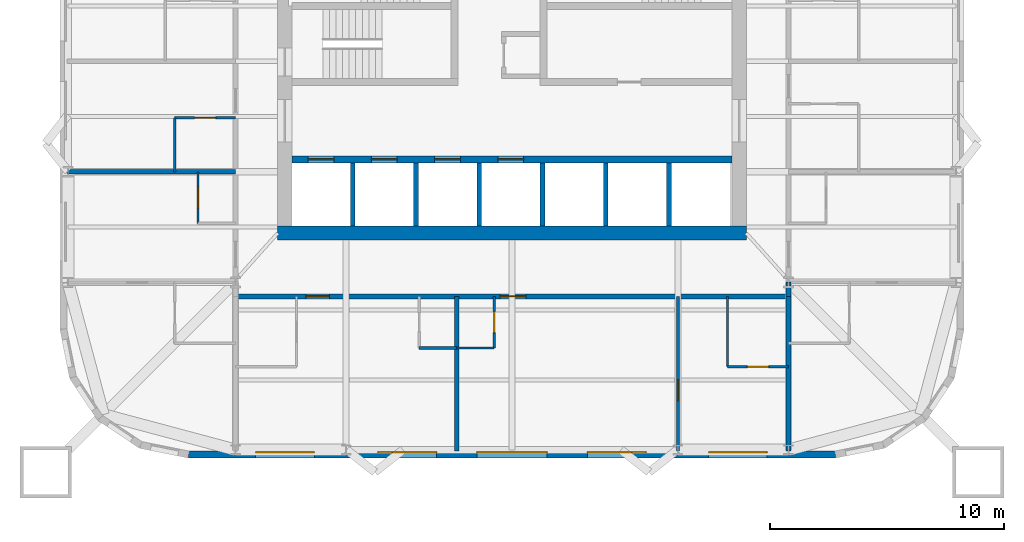
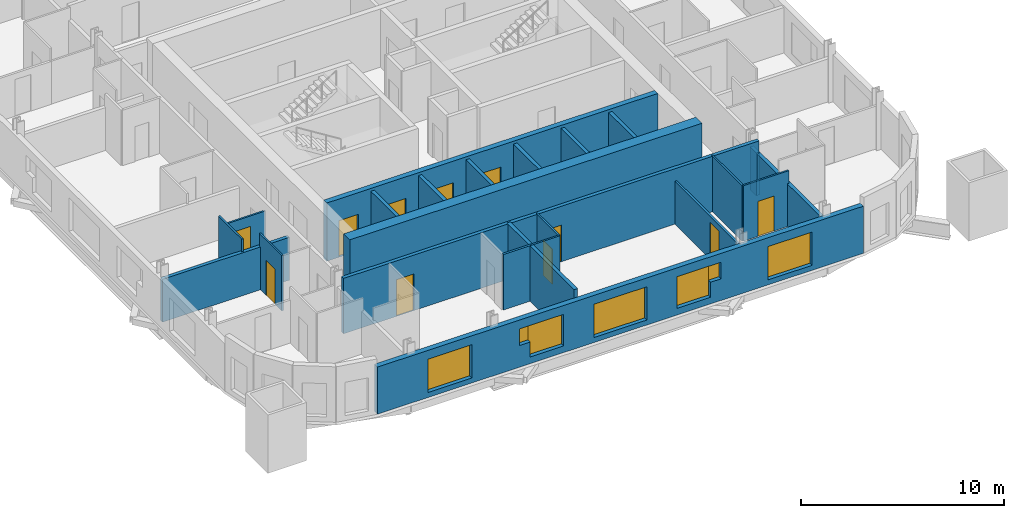
# One storey, part 3 of 9: 23 walls, 11 doors, 7 windows, 18 openings.
"""IFC4 building model written with IfcOpenShell, lengths in metres."""

from ifc_helpers import new_model, si_unit, direction, frame, frame_2d, origin, place, context, subcontext, project, spatial, rectangle, extrude, material, layer, layer_set, type_object, element, fill, save


model = new_model("IFC4")

# Units and contexts
model_context = context("Model", 3, precision=1e-05, world=origin(), true_north=direction((0.0, 1.0)))
body_context = subcontext(model_context, "Body", "Model", "MODEL_VIEW")
ifc_project = project(units=[si_unit("LENGTHUNIT", "METRE"), si_unit("AREAUNIT", "SQUARE_METRE"), si_unit("VOLUMEUNIT", "CUBIC_METRE"), si_unit("PLANEANGLEUNIT", "RADIAN"), si_unit("MASSUNIT", "GRAM", prefix="KILO")], contexts=[model_context])

# Site, building, storey
site_placement = place(None, origin())
site = spatial("IfcSite", under=ifc_project, at=site_placement, CompositionType="ELEMENT")
building_placement = place(site_placement, origin())
building = spatial("IfcBuilding", under=site, at=building_placement, Name="Turquesa Mirador Hotel Tower", CompositionType="ELEMENT")
storey_placement = place(building_placement, frame((0.0, 0.0, 200.300048828125)))
storey = spatial("IfcBuildingStorey", under=building, at=storey_placement, Name="L54", CompositionType="ELEMENT", Elevation=200.300048828125)

# Wall
ifc_material_1 = material(Name="Gypsum board on steel studs", Category="steel")
ifc_layer_1 = layer(ifc_material_1, 0.10009765625)
ifc_layer_set_1 = layer_set([ifc_layer_1], Name="BATHROOM WALL 100")
wall_type_1 = type_object("IfcWallType", Name="BATHROOM WALL 100", PredefinedType="PARTITIONING", material=ifc_layer_set_1)
wall_1_placement = place(storey_placement, frame((52.639892578125, 30.39990234375, 0.0), z_axis=(0.0, 0.0, 1.0), x_axis=(1.0, 0.0, 0.0)))
element("IfcWall", 1, at=wall_1_placement, inside=storey, type_object=wall_type_1, Name="Partition L54 008", PredefinedType="PARTITIONING", context=body_context, shape_type="SweptSolid", body=[
    extrude(rectangle(XDim=1.60009765625, YDim=0.10009765625, at=frame_2d((0.800048828125, 0.0))), origin(), (0.0, 0.0, 1.0), 3.329833984375),
])

# Wall, opening, door
wall_2_placement = place(storey_placement, frame((64.199951171875, 29.60009765625, 0.0), z_axis=(0.0, 0.0, 1.0), x_axis=(1.0, 0.0, 0.0)))
wall_2 = element("IfcWall", 2, at=wall_2_placement, inside=storey, type_object=wall_type_1, Name="Partition L54 011", PredefinedType="PARTITIONING", context=body_context, shape_type="SweptSolid", body=[
    extrude(rectangle(XDim=2.60009765625, YDim=0.10009765625, at=frame_2d((1.300048828125, 0.0))), origin(), (0.0, 0.0, 1.0), 3.329833984375),
])
opening_1_placement = place(wall_2_placement, frame((0.85009765625, 0.0, 0.0)))
opening_1 = element("IfcOpeningElement", 3, at=opening_1_placement, cuts=wall_2, Name="Opening D02", PredefinedType="OPENING", context=body_context, shape_type="SweptSolid", body=[
    extrude(rectangle(XDim=0.89990234375, YDim=2.10009765625, at=frame_2d((0.449951171875, 1.050048828125))), frame((0.0, 0.06005859375, 0.0), z_axis=(0.0, -1.0, 0.0), x_axis=(1.0, 0.0, 0.0)), (0.0, 0.0, 1.0), 0.1201171875),
])
ifc_material_2 = material(Name="Timber veneered door", Category="wood")
door_type_1 = type_object("IfcDoorType", Name="DOOR 900X2100 EN-SUITE", OperationType="SINGLE_SWING_RIGHT", PredefinedType="DOOR", material=ifc_material_2)
door_1_placement = place(opening_1_placement, origin())
door_1 = element("IfcDoor", 4, at=door_1_placement, inside=storey, type_object=door_type_1, Name="Door 5404B", OperationType="SINGLE_SWING_RIGHT", OverallHeight=2.10009765625, OverallWidth=0.89990234375, PredefinedType="DOOR", context=body_context, shape_type="SweptSolid", body=[
    extrude(rectangle(XDim=0.89990234375, YDim=2.10009765625, at=frame_2d((0.449951171875, 1.050048828125))), frame((0.0, 0.02490234375, 0.0), z_axis=(0.0, -1.0, 0.0), x_axis=(1.0, 0.0, 0.0)), (0.0, 0.0, 1.0), 0.050048828125),
])
fill(opening_1, door_1)

wall_3_placement = place(storey_placement, frame((40.60009765625, 40.219970703125, 0.0), z_axis=(0.0, 0.0, 1.0), x_axis=(1.0, 0.0, 0.0)))
wall_3 = element("IfcWall", 5, at=wall_3_placement, inside=storey, type_object=wall_type_1, Name="Partition L54 015", PredefinedType="PARTITIONING", context=body_context, shape_type="SweptSolid", body=[
    extrude(rectangle(XDim=2.599853515625, YDim=0.10009765625, at=frame_2d((1.2998046875, 0.0))), origin(), (0.0, 0.0, 1.0), 2.73046875),
])
opening_2_placement = place(wall_3_placement, frame((0.85009765625, 0.0, 0.0)))
opening_2 = element("IfcOpeningElement", 6, at=opening_2_placement, cuts=wall_3, Name="Opening D02", PredefinedType="OPENING", context=body_context, shape_type="SweptSolid", body=[
    extrude(rectangle(XDim=0.89990234375, YDim=2.10009765625, at=frame_2d((0.449951171875, 1.050048828125))), frame((0.0, 0.06005859375, 0.0), z_axis=(0.0, -1.0, 0.0), x_axis=(1.0, 0.0, 0.0)), (0.0, 0.0, 1.0), 0.1201171875),
])
door_2_placement = place(opening_2_placement, origin())
door_2 = element("IfcDoor", 7, at=door_2_placement, inside=storey, type_object=door_type_1, Name="Door 5407B", OperationType="SINGLE_SWING_RIGHT", OverallHeight=2.10009765625, OverallWidth=0.89990234375, PredefinedType="DOOR", context=body_context, shape_type="SweptSolid", body=[
    extrude(rectangle(XDim=0.89990234375, YDim=2.10009765625, at=frame_2d((0.449951171875, 1.050048828125))), frame((0.0, 0.02490234375, 0.0), z_axis=(0.0, -1.0, 0.0), x_axis=(1.0, 0.0, 0.0)), (0.0, 0.0, 1.0), 0.050048828125),
])
fill(opening_2, door_2)

wall_4_placement = place(storey_placement, frame((54.239990234375, 30.39990234375, 0.0), z_axis=(0.0, 0.0, 1.0), x_axis=(0.0, 1.0, 0.0)))
wall_4 = element("IfcWall", 8, at=wall_4_placement, inside=storey, type_object=wall_type_1, Name="Partition L54 041", PredefinedType="PARTITIONING", context=body_context, shape_type="SweptSolid", body=[
    extrude(rectangle(XDim=2.2001953125, YDim=0.10009765625, at=frame_2d((1.10009765625, 0.0))), origin(), (0.0, 0.0, 1.0), 3.329833984375),
])
opening_3_placement = place(wall_4_placement, frame((0.64990234375, 0.0, 0.0)))
opening_3 = element("IfcOpeningElement", 9, at=opening_3_placement, cuts=wall_4, Name="Opening D06", PredefinedType="OPENING", context=body_context, shape_type="SweptSolid", body=[
    extrude(rectangle(XDim=0.89990234375, YDim=2.10009765625, at=frame_2d((0.449951171875, 1.050048828125))), frame((0.0, 0.06005859375, 0.0), z_axis=(0.0, -1.0, 0.0), x_axis=(1.0, 0.0, 0.0)), (0.0, 0.0, 1.0), 0.1201171875),
])
ifc_material_3 = material(Name="Laminate door", Category="wood")
door_type_2 = type_object("IfcDoorType", Name="DOOR 900X2100 WC", OperationType="SINGLE_SWING_LEFT", PredefinedType="DOOR", material=ifc_material_3)
door_3_placement = place(opening_3_placement, origin())
door_3 = element("IfcDoor", 10, at=door_3_placement, inside=storey, type_object=door_type_2, Name="Door 5404W", OperationType="SINGLE_SWING_LEFT", OverallHeight=2.10009765625, OverallWidth=0.89990234375, PredefinedType="DOOR", context=body_context, shape_type="SweptSolid", body=[
    extrude(rectangle(XDim=0.89990234375, YDim=2.10009765625, at=frame_2d((0.449951171875, 1.050048828125))), frame((0.0, 0.02490234375, 0.0), z_axis=(0.0, -1.0, 0.0), x_axis=(1.0, 0.0, 0.0)), (0.0, 0.0, 1.0), 0.050048828125),
])
fill(opening_3, door_3)

wall_5_placement = place(storey_placement, frame((41.60009765625, 35.719970703125, 0.0), z_axis=(0.0, 0.0, 1.0), x_axis=(0.0, 1.0, 0.0)))
wall_5 = element("IfcWall", 11, at=wall_5_placement, inside=storey, type_object=wall_type_1, Name="Partition L54 046", PredefinedType="PARTITIONING", context=body_context, shape_type="SweptSolid", body=[
    extrude(rectangle(XDim=2.199951171875, YDim=0.10009765625, at=frame_2d((1.10009765625, 0.0))), origin(), (0.0, 0.0, 1.0), 3.329833984375),
])
opening_4_placement = place(wall_5_placement, frame((0.64990234375, 0.0, 0.0)))
opening_4 = element("IfcOpeningElement", 12, at=opening_4_placement, cuts=wall_5, Name="Opening D06", PredefinedType="OPENING", context=body_context, shape_type="SweptSolid", body=[
    extrude(rectangle(XDim=0.89990234375, YDim=2.10009765625, at=frame_2d((0.449951171875, 1.050048828125))), frame((0.0, 0.06005859375, 0.0), z_axis=(0.0, -1.0, 0.0), x_axis=(1.0, 0.0, 0.0)), (0.0, 0.0, 1.0), 0.1201171875),
])
door_4_placement = place(opening_4_placement, origin())
door_4 = element("IfcDoor", 13, at=door_4_placement, inside=storey, type_object=door_type_2, Name="Door 5411W", OperationType="SINGLE_SWING_LEFT", OverallHeight=2.10009765625, OverallWidth=0.89990234375, PredefinedType="DOOR", context=body_context, shape_type="SweptSolid", body=[
    extrude(rectangle(XDim=0.89990234375, YDim=2.10009765625, at=frame_2d((0.449951171875, 1.050048828125))), frame((0.0, 0.02490234375, 0.0), z_axis=(0.0, -1.0, 0.0), x_axis=(1.0, 0.0, 0.0)), (0.0, 0.0, 1.0), 0.050048828125),
])
fill(opening_4, door_4)

# Walls
wall_6_placement = place(storey_placement, frame((40.60009765625, 37.919921875, 0.0), z_axis=(0.0, 0.0, 1.0), x_axis=(0.0, 1.0, 0.0)))
element("IfcWall", 14, at=wall_6_placement, inside=storey, type_object=wall_type_1, Name="Partition L54 050", PredefinedType="PARTITIONING", context=body_context, shape_type="SweptSolid", body=[
    extrude(rectangle(XDim=2.300048828125, YDim=0.10009765625, at=frame_2d((1.14990234375, 0.0))), origin(), (0.0, 0.0, 1.0), 3.329833984375),
])
wall_7_placement = place(storey_placement, frame((64.199951171875, 29.60009765625, 0.0), z_axis=(0.0, 0.0, 1.0), x_axis=(0.0, 1.0, 0.0)))
element("IfcWall", 15, at=wall_7_placement, inside=storey, type_object=wall_type_1, Name="Partition L54 071", PredefinedType="PARTITIONING", context=body_context, shape_type="SweptSolid", body=[
    extrude(rectangle(XDim=3.0, YDim=0.10009765625, at=frame_2d((1.5, 0.0))), origin(), (0.0, 0.0, 1.0), 3.329833984375),
])

# Wall, openings, doors
ifc_material_4 = material(Name="Concrete C50/60", Category="concrete")
ifc_layer_2 = layer(ifc_material_4, 0.300048828125)
ifc_layer_set_2 = layer_set([ifc_layer_2], Name="CORE INNER WALL 300")
wall_type_2 = type_object("IfcWallType", Name="CORE INNER WALL 300", PredefinedType="SHEAR", material=ifc_layer_set_2)
wall_8_placement = place(storey_placement, frame((45.60009765625, 38.449951171875, 0.0), z_axis=(0.0, 0.0, 1.0), x_axis=(1.0, 0.0, 0.0)))
wall_8 = element("IfcWall", 16, at=wall_8_placement, inside=storey, type_object=wall_type_2, Name="Core wall SL", PredefinedType="SHEAR", context=body_context, shape_type="SweptSolid", body=[
    extrude(rectangle(XDim=18.7998046875, YDim=0.300048828125, at=frame_2d((9.39990234375, 0.0))), origin(), (0.0, 0.0, 1.0), 3.5),
])
opening_5_placement = place(wall_8_placement, frame((0.699951171875, 0.0, 0.0)))
opening_5 = element("IfcOpeningElement", 17, at=opening_5_placement, cuts=wall_8, Name="Opening LD", PredefinedType="OPENING", context=body_context, shape_type="SweptSolid", body=[
    extrude(rectangle(XDim=1.10009765625, YDim=2.199951171875, at=frame_2d((0.550048828125, 1.10009765625))), frame((0.0, 0.159912109375, 0.0), z_axis=(0.0, -1.0, 0.0), x_axis=(1.0, 0.0, 0.0)), (0.0, 0.0, 1.0), 0.320068359375),
])
opening_6_placement = place(wall_8_placement, frame((3.39990234375, 0.0, 0.0)))
opening_6 = element("IfcOpeningElement", 18, at=opening_6_placement, cuts=wall_8, Name="Opening LD", PredefinedType="OPENING", context=body_context, shape_type="SweptSolid", body=[
    extrude(rectangle(XDim=1.10009765625, YDim=2.199951171875, at=frame_2d((0.550048828125, 1.10009765625))), frame((0.0, 0.159912109375, 0.0), z_axis=(0.0, -1.0, 0.0), x_axis=(1.0, 0.0, 0.0)), (0.0, 0.0, 1.0), 0.320068359375),
])
opening_7_placement = place(wall_8_placement, frame((6.10009765625, 0.0, 0.0)))
opening_7 = element("IfcOpeningElement", 19, at=opening_7_placement, cuts=wall_8, Name="Opening LD", PredefinedType="OPENING", context=body_context, shape_type="SweptSolid", body=[
    extrude(rectangle(XDim=1.10009765625, YDim=2.199951171875, at=frame_2d((0.550048828125, 1.10009765625))), frame((0.0, 0.159912109375, 0.0), z_axis=(0.0, -1.0, 0.0), x_axis=(1.0, 0.0, 0.0)), (0.0, 0.0, 1.0), 0.320068359375),
])
opening_8_placement = place(wall_8_placement, frame((8.800048828125, 0.0, 0.0)))
opening_8 = element("IfcOpeningElement", 20, at=opening_8_placement, cuts=wall_8, Name="Opening LD", PredefinedType="OPENING", context=body_context, shape_type="SweptSolid", body=[
    extrude(rectangle(XDim=1.10009765625, YDim=2.199951171875, at=frame_2d((0.550048828125, 1.10009765625))), frame((0.0, 0.159912109375, 0.0), z_axis=(0.0, -1.0, 0.0), x_axis=(1.0, 0.0, 0.0)), (0.0, 0.0, 1.0), 0.320068359375),
])
ifc_material_5 = material(Name="Stainless steel lift landing door", Category="steel")
door_type_3 = type_object("IfcDoorType", Name="LIFT LANDING DOOR 1100X2200", OperationType="SLIDING_TO_LEFT", PredefinedType="DOOR", material=ifc_material_5)
door_5_placement = place(opening_5_placement, origin())
door_5 = element("IfcDoor", 21, at=door_5_placement, inside=storey, type_object=door_type_3, Name="Lift B1 landing door", OperationType="SLIDING_TO_LEFT", OverallHeight=2.199951171875, OverallWidth=1.10009765625, PredefinedType="DOOR", context=body_context, shape_type="SweptSolid", body=[
    extrude(rectangle(XDim=1.10009765625, YDim=2.199951171875, at=frame_2d((0.550048828125, 1.10009765625))), frame((0.0, 0.02490234375, 0.0), z_axis=(0.0, -1.0, 0.0), x_axis=(1.0, 0.0, 0.0)), (0.0, 0.0, 1.0), 0.050048828125),
])
fill(opening_5, door_5)
door_6_placement = place(opening_6_placement, origin())
door_6 = element("IfcDoor", 22, at=door_6_placement, inside=storey, type_object=door_type_3, Name="Lift B2 landing door", OperationType="SLIDING_TO_LEFT", OverallHeight=2.199951171875, OverallWidth=1.10009765625, PredefinedType="DOOR", context=body_context, shape_type="SweptSolid", body=[
    extrude(rectangle(XDim=1.10009765625, YDim=2.199951171875, at=frame_2d((0.550048828125, 1.10009765625))), frame((0.0, 0.02490234375, 0.0), z_axis=(0.0, -1.0, 0.0), x_axis=(1.0, 0.0, 0.0)), (0.0, 0.0, 1.0), 0.050048828125),
])
fill(opening_6, door_6)
door_7_placement = place(opening_7_placement, origin())
door_7 = element("IfcDoor", 23, at=door_7_placement, inside=storey, type_object=door_type_3, Name="Lift B3 landing door", OperationType="SLIDING_TO_LEFT", OverallHeight=2.199951171875, OverallWidth=1.10009765625, PredefinedType="DOOR", context=body_context, shape_type="SweptSolid", body=[
    extrude(rectangle(XDim=1.10009765625, YDim=2.199951171875, at=frame_2d((0.550048828125, 1.10009765625))), frame((0.0, 0.02490234375, 0.0), z_axis=(0.0, -1.0, 0.0), x_axis=(1.0, 0.0, 0.0)), (0.0, 0.0, 1.0), 0.050048828125),
])
fill(opening_7, door_7)
door_8_placement = place(opening_8_placement, origin())
door_8 = element("IfcDoor", 24, at=door_8_placement, inside=storey, type_object=door_type_3, Name="Lift B4 landing door", OperationType="SLIDING_TO_LEFT", OverallHeight=2.199951171875, OverallWidth=1.10009765625, PredefinedType="DOOR", context=body_context, shape_type="SweptSolid", body=[
    extrude(rectangle(XDim=1.10009765625, YDim=2.199951171875, at=frame_2d((0.550048828125, 1.10009765625))), frame((0.0, 0.02490234375, 0.0), z_axis=(0.0, -1.0, 0.0), x_axis=(1.0, 0.0, 0.0)), (0.0, 0.0, 1.0), 0.050048828125),
])
fill(opening_8, door_8)

# Wall
ifc_material_6 = material(Name="Concrete C50/60", Category="concrete")
ifc_layer_3 = layer(ifc_material_6, 0.60009765625)
ifc_layer_set_3 = layer_set([ifc_layer_3], Name="CORE WALL 600")
wall_type_3 = type_object("IfcWallType", Name="CORE WALL 600", PredefinedType="SHEAR", material=ifc_layer_set_3)
wall_9_placement = place(storey_placement, frame((45.0, 35.300048828125, 0.0), z_axis=(0.0, 0.0, 1.0), x_axis=(1.0, 0.0, 0.0)))
element("IfcWall", 25, at=wall_9_placement, inside=storey, type_object=wall_type_3, Name="Core wall S", PredefinedType="SHEAR", context=body_context, shape_type="SweptSolid", body=[
    extrude(rectangle(XDim=20.0, YDim=0.60009765625, at=frame_2d((10.0, 0.0))), origin(), (0.0, 0.0, 1.0), 3.5),
])

# Wall, openings, doors
ifc_material_7 = material(Name="Fire-rated gypsum board on steel studs", Category="steel")
ifc_layer_4 = layer(ifc_material_7, 0.199951171875)
ifc_layer_set_4 = layer_set([ifc_layer_4], Name="CORRIDOR WALL 200")
wall_type_4 = type_object("IfcWallType", Name="CORRIDOR WALL 200", PredefinedType="PARTITIONING", material=ifc_layer_set_4)
wall_10_placement = place(storey_placement, frame((43.199951171875, 32.60009765625, 0.0), z_axis=(0.0, 0.0, 1.0), x_axis=(1.0, 0.0, 0.0)))
wall_10 = element("IfcWall", 26, at=wall_10_placement, inside=storey, type_object=wall_type_4, Name="Partition L54 005", PredefinedType="PARTITIONING", context=body_context, shape_type="SweptSolid", body=[
    extrude(rectangle(XDim=23.60009765625, YDim=0.199951171875, at=frame_2d((11.800048828125, 0.0))), origin(), (0.0, 0.0, 1.0), 3.329833984375),
])
opening_9_placement = place(wall_10_placement, frame((3.0, 0.0, 0.0)))
opening_9 = element("IfcOpeningElement", 27, at=opening_9_placement, cuts=wall_10, Name="Opening D01", PredefinedType="OPENING", context=body_context, shape_type="SweptSolid", body=[
    extrude(rectangle(XDim=1.0, YDim=2.199951171875, at=frame_2d((0.5, 1.10009765625))), frame((0.0, 0.10986328125, 0.0), z_axis=(0.0, -1.0, 0.0), x_axis=(1.0, 0.0, 0.0)), (0.0, 0.0, 1.0), 0.219970703125),
])
opening_10_placement = place(wall_10_placement, frame((11.2900390625, 0.0, 0.0)))
opening_10 = element("IfcOpeningElement", 28, at=opening_10_placement, cuts=wall_10, Name="Opening D15", PredefinedType="OPENING", context=body_context, shape_type="SweptSolid", body=[
    extrude(rectangle(XDim=1.10009765625, YDim=2.199951171875, at=frame_2d((0.550048828125, 1.10009765625))), frame((0.0, 0.10986328125, 0.0), z_axis=(0.0, -1.0, 0.0), x_axis=(1.0, 0.0, 0.0)), (0.0, 0.0, 1.0), 0.219970703125),
])
ifc_material_8 = material(Name="Timber veneered fire door", Category="wood")
door_type_4 = type_object("IfcDoorType", Name="DOOR 1000X2200 GUEST ENTRY", OperationType="SINGLE_SWING_LEFT", PredefinedType="DOOR", material=ifc_material_8)
door_9_placement = place(opening_9_placement, origin())
door_9 = element("IfcDoor", 29, at=door_9_placement, inside=storey, type_object=door_type_4, Name="Door 5403", OperationType="SINGLE_SWING_LEFT", OverallHeight=2.199951171875, OverallWidth=1.0, PredefinedType="DOOR", context=body_context, shape_type="SweptSolid", body=[
    extrude(rectangle(XDim=1.0, YDim=2.199951171875, at=frame_2d((0.5, 1.10009765625))), frame((0.0, 0.02490234375, 0.0), z_axis=(0.0, -1.0, 0.0), x_axis=(1.0, 0.0, 0.0)), (0.0, 0.0, 1.0), 0.050048828125),
])
fill(opening_9, door_9)
ifc_material_9 = material(Name="Timber veneered fire door", Category="wood")
door_type_5 = type_object("IfcDoorType", Name="DOOR 1100X2200 SUITE ENTRY", OperationType="SINGLE_SWING_LEFT", PredefinedType="DOOR", material=ifc_material_9)
door_10_placement = place(opening_10_placement, origin())
door_10 = element("IfcDoor", 30, at=door_10_placement, inside=storey, type_object=door_type_5, Name="Door 5404", OperationType="SINGLE_SWING_LEFT", OverallHeight=2.199951171875, OverallWidth=1.10009765625, PredefinedType="DOOR", context=body_context, shape_type="SweptSolid", body=[
    extrude(rectangle(XDim=1.10009765625, YDim=2.199951171875, at=frame_2d((0.550048828125, 1.10009765625))), frame((0.0, 0.02490234375, 0.0), z_axis=(0.0, -1.0, 0.0), x_axis=(1.0, 0.0, 0.0)), (0.0, 0.0, 1.0), 0.050048828125),
])
fill(opening_10, door_10)

# Wall
wall_11_placement = place(storey_placement, frame((66.800048828125, 32.60009765625, 0.0), z_axis=(0.0, 0.0, 1.0), x_axis=(0.0, 1.0, 0.0)))
element("IfcWall", 31, at=wall_11_placement, inside=storey, type_object=wall_type_4, Name="Partition L54 075", PredefinedType="PARTITIONING", context=body_context, shape_type="SweptSolid", body=[
    extrude(rectangle(XDim=0.619873046875, YDim=0.199951171875, at=frame_2d((0.31005859375, 0.0))), origin(), (0.0, 0.0, 1.0), 2.572998046875),
])

# Wall, openings, windows
ifc_material_10 = material(Name="Limestone cladding on concrete block", Category="masonry")
ifc_layer_5 = layer(ifc_material_10, 0.300048828125)
ifc_layer_set_5 = layer_set([ifc_layer_5], Name="FACADE WALL 300 STONE SCREEN")
wall_type_5 = type_object("IfcWallType", Name="FACADE WALL 300 STONE SCREEN", PredefinedType="SOLIDWALL", material=ifc_layer_set_5)
wall_12_placement = place(storey_placement, frame((41.199951171875, 25.85009765625, 0.0), z_axis=(0.0, 0.0, 1.0), x_axis=(1.0, 0.0, 0.0)))
wall_12 = element("IfcWall", 32, at=wall_12_placement, inside=storey, type_object=wall_type_5, Name="Facade wall L54 19", PredefinedType="SOLIDWALL", context=body_context, shape_type="SweptSolid", body=[
    extrude(rectangle(XDim=27.60009765625, YDim=0.300048828125, at=frame_2d((13.800048828125, 0.0))), origin(), (0.0, 0.0, 1.0), 2.829833984375),
])
opening_11_placement = place(wall_12_placement, frame((2.860107421875, 0.0, 0.300048828125)))
opening_11 = element("IfcOpeningElement", 33, at=opening_11_placement, cuts=wall_12, Name="Opening WN52", PredefinedType="OPENING", context=body_context, shape_type="SweptSolid", body=[
    extrude(rectangle(XDim=2.5, YDim=2.0, at=frame_2d((1.25, 1.0))), frame((0.0, 0.159912109375, 0.0), z_axis=(0.0, -1.0, 0.0), x_axis=(1.0, 0.0, 0.0)), (0.0, 0.0, 1.0), 0.320068359375),
])
opening_12_placement = place(wall_12_placement, frame((8.679931640625, 0.0, 0.39990234375)))
opening_12 = element("IfcOpeningElement", 34, at=opening_12_placement, cuts=wall_12, Name="Opening WN48", PredefinedType="OPENING", context=body_context, shape_type="SweptSolid", body=[
    extrude(rectangle(XDim=1.89990234375, YDim=1.89990234375, at=frame_2d((0.949951171875, 0.949951171875))), frame((0.0, 0.159912109375, 0.0), z_axis=(0.0, -1.0, 0.0), x_axis=(1.0, 0.0, 0.0)), (0.0, 0.0, 1.0), 0.320068359375),
])
opening_13_placement = place(wall_12_placement, frame((12.300048828125, 0.0, 0.300048828125)))
opening_13 = element("IfcOpeningElement", 35, at=opening_13_placement, cuts=wall_12, Name="Opening WN1", PredefinedType="OPENING", context=body_context, shape_type="SweptSolid", body=[
    extrude(rectangle(XDim=3.0, YDim=2.0, at=frame_2d((1.5, 1.0))), frame((0.0, 0.159912109375, 0.0), z_axis=(0.0, -1.0, 0.0), x_axis=(1.0, 0.0, 0.0)), (0.0, 0.0, 1.0), 0.320068359375),
])
opening_14_placement = place(wall_12_placement, frame((17.02001953125, 0.0, 0.39990234375)))
opening_14 = element("IfcOpeningElement", 36, at=opening_14_placement, cuts=wall_12, Name="Opening WN48", PredefinedType="OPENING", context=body_context, shape_type="SweptSolid", body=[
    extrude(rectangle(XDim=1.89990234375, YDim=1.89990234375, at=frame_2d((0.949951171875, 0.949951171875))), frame((0.0, 0.159912109375, 0.0), z_axis=(0.0, -1.0, 0.0), x_axis=(1.0, 0.0, 0.0)), (0.0, 0.0, 1.0), 0.320068359375),
])
opening_15_placement = place(wall_12_placement, frame((22.18994140625, 0.0, 0.300048828125)))
opening_15 = element("IfcOpeningElement", 37, at=opening_15_placement, cuts=wall_12, Name="Opening WN52", PredefinedType="OPENING", context=body_context, shape_type="SweptSolid", body=[
    extrude(rectangle(XDim=2.5, YDim=2.0, at=frame_2d((1.25, 1.0))), frame((0.0, 0.159912109375, 0.0), z_axis=(0.0, -1.0, 0.0), x_axis=(1.0, 0.0, 0.0)), (0.0, 0.0, 1.0), 0.320068359375),
])
opening_16_placement = place(wall_12_placement, frame((8.080078125, 0.0, 1.300048828125)))
opening_16 = element("IfcOpeningElement", 38, at=opening_16_placement, cuts=wall_12, Name="Opening WN29", PredefinedType="OPENING", context=body_context, shape_type="SweptSolid", body=[
    extrude(rectangle(XDim=0.60009765625, YDim=1.0, at=frame_2d((0.300048828125, 0.5))), frame((0.0, 0.159912109375, 0.0), z_axis=(0.0, -1.0, 0.0), x_axis=(1.0, 0.0, 0.0)), (0.0, 0.0, 1.0), 0.320068359375),
])
opening_17_placement = place(wall_12_placement, frame((18.919921875, 0.0, 1.300048828125)))
opening_17 = element("IfcOpeningElement", 39, at=opening_17_placement, cuts=wall_12, Name="Opening WN29", PredefinedType="OPENING", context=body_context, shape_type="SweptSolid", body=[
    extrude(rectangle(XDim=0.60009765625, YDim=1.0, at=frame_2d((0.300048828125, 0.5))), frame((0.0, 0.159912109375, 0.0), z_axis=(0.0, -1.0, 0.0), x_axis=(1.0, 0.0, 0.0)), (0.0, 0.0, 1.0), 0.320068359375),
])
ifc_material_11 = material(Name="Ceramic-fritted laminated glass", Category="glass")
window_type_1 = type_object("IfcWindowType", Name="FRITTED WINDOW 1900X1900", PartitioningType="DOUBLE_PANEL_HORIZONTAL", PredefinedType="WINDOW", material=ifc_material_11)
window_1_placement = place(opening_12_placement, origin())
window_1 = element("IfcWindow", 40, at=window_1_placement, inside=storey, type_object=window_type_1, Name="Window L54", OverallHeight=1.89990234375, OverallWidth=1.89990234375, PartitioningType="SINGLE_PANEL", PredefinedType="WINDOW", context=body_context, shape_type="SweptSolid", body=[
    extrude(rectangle(XDim=1.89990234375, YDim=1.89990234375, at=frame_2d((0.949951171875, 0.949951171875))), frame((0.0, 0.130126953125, 0.0), z_axis=(0.0, -1.0, 0.0), x_axis=(1.0, 0.0, 0.0)), (0.0, 0.0, 1.0), 0.06005859375),
])
fill(opening_12, window_1)
window_2_placement = place(opening_14_placement, origin())
window_2 = element("IfcWindow", 41, at=window_2_placement, inside=storey, type_object=window_type_1, Name="Window L54", OverallHeight=1.89990234375, OverallWidth=1.89990234375, PartitioningType="SINGLE_PANEL", PredefinedType="WINDOW", context=body_context, shape_type="SweptSolid", body=[
    extrude(rectangle(XDim=1.89990234375, YDim=1.89990234375, at=frame_2d((0.949951171875, 0.949951171875))), frame((0.0, 0.130126953125, 0.0), z_axis=(0.0, -1.0, 0.0), x_axis=(1.0, 0.0, 0.0)), (0.0, 0.0, 1.0), 0.06005859375),
])
fill(opening_14, window_2)
ifc_material_12 = material(Name="Ceramic-fritted laminated glass", Category="glass")
window_type_2 = type_object("IfcWindowType", Name="FRITTED WINDOW 2500X2000", PartitioningType="DOUBLE_PANEL_HORIZONTAL", PredefinedType="WINDOW", material=ifc_material_12)
window_3_placement = place(opening_11_placement, origin())
window_3 = element("IfcWindow", 42, at=window_3_placement, inside=storey, type_object=window_type_2, Name="Window L54", OverallHeight=2.0, OverallWidth=2.5, PartitioningType="SINGLE_PANEL", PredefinedType="WINDOW", context=body_context, shape_type="SweptSolid", body=[
    extrude(rectangle(XDim=2.5, YDim=2.0, at=frame_2d((1.25, 1.0))), frame((0.0, 0.130126953125, 0.0), z_axis=(0.0, -1.0, 0.0), x_axis=(1.0, 0.0, 0.0)), (0.0, 0.0, 1.0), 0.06005859375),
])
fill(opening_11, window_3)
window_4_placement = place(opening_15_placement, origin())
window_4 = element("IfcWindow", 43, at=window_4_placement, inside=storey, type_object=window_type_2, Name="Window L54", OverallHeight=2.0, OverallWidth=2.5, PartitioningType="SINGLE_PANEL", PredefinedType="WINDOW", context=body_context, shape_type="SweptSolid", body=[
    extrude(rectangle(XDim=2.5, YDim=2.0, at=frame_2d((1.25, 1.0))), frame((0.0, 0.130126953125, 0.0), z_axis=(0.0, -1.0, 0.0), x_axis=(1.0, 0.0, 0.0)), (0.0, 0.0, 1.0), 0.06005859375),
])
fill(opening_15, window_4)
ifc_material_13 = material(Name="Ceramic-fritted laminated glass", Category="glass")
window_type_3 = type_object("IfcWindowType", Name="FRITTED WINDOW 3000X2000", PartitioningType="DOUBLE_PANEL_HORIZONTAL", PredefinedType="WINDOW", material=ifc_material_13)
window_5_placement = place(opening_13_placement, origin())
window_5 = element("IfcWindow", 44, at=window_5_placement, inside=storey, type_object=window_type_3, Name="Window L54", OverallHeight=2.0, OverallWidth=3.0, PartitioningType="SINGLE_PANEL", PredefinedType="WINDOW", context=body_context, shape_type="SweptSolid", body=[
    extrude(rectangle(XDim=3.0, YDim=2.0, at=frame_2d((1.5, 1.0))), frame((0.0, 0.130126953125, 0.0), z_axis=(0.0, -1.0, 0.0), x_axis=(1.0, 0.0, 0.0)), (0.0, 0.0, 1.0), 0.06005859375),
])
fill(opening_13, window_5)
ifc_material_14 = material(Name="Ceramic-fritted laminated glass", Category="glass")
window_type_4 = type_object("IfcWindowType", Name="FRITTED WINDOW 600X1000", PartitioningType="DOUBLE_PANEL_HORIZONTAL", PredefinedType="WINDOW", material=ifc_material_14)
window_6_placement = place(opening_16_placement, origin())
window_6 = element("IfcWindow", 45, at=window_6_placement, inside=storey, type_object=window_type_4, Name="Window L54", OverallHeight=1.0, OverallWidth=0.60009765625, PartitioningType="SINGLE_PANEL", PredefinedType="WINDOW", context=body_context, shape_type="SweptSolid", body=[
    extrude(rectangle(XDim=0.60009765625, YDim=1.0, at=frame_2d((0.300048828125, 0.5))), frame((0.0, 0.130126953125, 0.0), z_axis=(0.0, -1.0, 0.0), x_axis=(1.0, 0.0, 0.0)), (0.0, 0.0, 1.0), 0.06005859375),
])
fill(opening_16, window_6)
window_7_placement = place(opening_17_placement, origin())
window_7 = element("IfcWindow", 46, at=window_7_placement, inside=storey, type_object=window_type_4, Name="Window L54", OverallHeight=1.0, OverallWidth=0.60009765625, PartitioningType="SINGLE_PANEL", PredefinedType="WINDOW", context=body_context, shape_type="SweptSolid", body=[
    extrude(rectangle(XDim=0.60009765625, YDim=1.0, at=frame_2d((0.300048828125, 0.5))), frame((0.0, 0.130126953125, 0.0), z_axis=(0.0, -1.0, 0.0), x_axis=(1.0, 0.0, 0.0)), (0.0, 0.0, 1.0), 0.06005859375),
])
fill(opening_17, window_7)

# Walls
ifc_material_15 = material(Name="Fire-rated gypsum shaft wall on steel studs", Category="steel")
ifc_layer_6 = layer(ifc_material_15, 0.199951171875)
ifc_layer_set_6 = layer_set([ifc_layer_6], Name="LIFT SHAFT DIVIDER 200")
wall_type_6 = type_object("IfcWallType", Name="LIFT SHAFT DIVIDER 200", PredefinedType="PARTITIONING", material=ifc_layer_set_6)
for number, where, z_axis, x_axis, name in (
    (47, (48.199951171875, 35.60009765625, 0.0), (0.0, 0.0, 1.0), (0.0, 1.0, 0.0), "Lift shaft divider"),
    (48, (50.89990234375, 35.60009765625, 0.0), (0.0, 0.0, 1.0), (0.0, 1.0, 0.0), "Lift shaft divider"),
    (49, (53.60009765625, 35.60009765625, 0.0), (0.0, 0.0, 1.0), (0.0, 1.0, 0.0), "Lift shaft divider"),
    (50, (56.300048828125, 35.60009765625, 0.0), (0.0, 0.0, 1.0), (0.0, 1.0, 0.0), "Lift shaft divider"),
    (51, (59.0, 35.60009765625, 0.0), (0.0, 0.0, 1.0), (0.0, 1.0, 0.0), "Lift shaft divider"),
    (52, (61.699951171875, 35.60009765625, 0.0), (0.0, 0.0, 1.0), (0.0, 1.0, 0.0), "Lift shaft divider"),
):
    element("IfcWall", number, at=place(storey_placement, frame(where, z_axis=z_axis, x_axis=x_axis)), inside=storey, type_object=wall_type_6, Name=name, PredefinedType="PARTITIONING", context=body_context, shape_type="SweptSolid", body=[
        extrude(rectangle(XDim=2.699951171875, YDim=0.199951171875, at=frame_2d((1.35009765625, 0.0))), origin(), (0.0, 0.0, 1.0), 3.329833984375),
    ])
ifc_material_16 = material(Name="Fire-rated gypsum board on steel studs", Category="steel")
ifc_layer_7 = layer(ifc_material_16, 0.199951171875)
ifc_layer_set_7 = layer_set([ifc_layer_7], Name="PARTY WALL 200")
wall_type_7 = type_object("IfcWallType", Name="PARTY WALL 200", PredefinedType="PARTITIONING", material=ifc_layer_set_7)
wall_13_placement = place(storey_placement, frame((36.0, 37.919921875, 0.0), z_axis=(0.0, 0.0, 1.0), x_axis=(1.0, 0.0, 0.0)))
element("IfcWall", 53, at=wall_13_placement, inside=storey, type_object=wall_type_7, Name="Partition L54 016", PredefinedType="PARTITIONING", context=body_context, shape_type="SweptSolid", body=[
    extrude(rectangle(XDim=7.199951171875, YDim=0.199951171875, at=frame_2d((3.60009765625, 0.0))), origin(), (0.0, 0.0, 1.0), 2.572998046875),
])
wall_14_placement = place(storey_placement, frame((52.639892578125, 26.0, 0.0), z_axis=(0.0, 0.0, 1.0), x_axis=(0.0, 1.0, 0.0)))
element("IfcWall", 54, at=wall_14_placement, inside=storey, type_object=wall_type_7, Name="Partition L54 053", PredefinedType="PARTITIONING", context=body_context, shape_type="SweptSolid", body=[
    extrude(rectangle(XDim=6.60009765625, YDim=0.199951171875, at=frame_2d((3.300048828125, 0.0))), origin(), (0.0, 0.0, 1.0), 3.329833984375),
])
wall_15_placement = place(storey_placement, frame((66.800048828125, 26.0, 0.0), z_axis=(0.0, 0.0, 1.0), x_axis=(0.0, 1.0, 0.0)))
element("IfcWall", 55, at=wall_15_placement, inside=storey, type_object=wall_type_7, Name="Partition L54 060", PredefinedType="PARTITIONING", context=body_context, shape_type="SweptSolid", body=[
    extrude(rectangle(XDim=6.60009765625, YDim=0.199951171875, at=frame_2d((3.300048828125, 0.0))), origin(), (0.0, 0.0, 1.0), 2.572998046875),
])
ifc_material_17 = material(Name="Acoustic gypsum board on steel studs", Category="steel")
ifc_layer_8 = layer(ifc_material_17, 0.125)
ifc_layer_set_8 = layer_set([ifc_layer_8], Name="SUITE PARTITION 125")
wall_type_8 = type_object("IfcWallType", Name="SUITE PARTITION 125", PredefinedType="PARTITIONING", material=ifc_layer_set_8)
wall_16_placement = place(storey_placement, frame((51.0400390625, 30.39990234375, 0.0), z_axis=(0.0, 0.0, 1.0), x_axis=(1.0, 0.0, 0.0)))
element("IfcWall", 56, at=wall_16_placement, inside=storey, type_object=wall_type_8, Name="Partition L54 009", PredefinedType="PARTITIONING", context=body_context, shape_type="SweptSolid", body=[
    extrude(rectangle(XDim=1.599853515625, YDim=0.125, at=frame_2d((0.7998046875, 0.0))), origin(), (0.0, 0.0, 1.0), 3.329833984375),
])

# Wall, opening, door
wall_17_placement = place(storey_placement, frame((62.080078125, 26.0, 0.0), z_axis=(0.0, 0.0, 1.0), x_axis=(0.0, 1.0, 0.0)))
wall_17 = element("IfcWall", 57, at=wall_17_placement, inside=storey, type_object=wall_type_8, Name="Partition L54 069", PredefinedType="PARTITIONING", context=body_context, shape_type="SweptSolid", body=[
    extrude(rectangle(XDim=6.60009765625, YDim=0.125, at=frame_2d((3.300048828125, 0.0))), origin(), (0.0, 0.0, 1.0), 2.572998046875),
])
opening_18_placement = place(wall_17_placement, frame((2.14990234375, 0.0, 0.0)))
opening_18 = element("IfcOpeningElement", 58, at=opening_18_placement, cuts=wall_17, Name="Opening D17", PredefinedType="OPENING", context=body_context, shape_type="SweptSolid", body=[
    extrude(rectangle(XDim=0.89990234375, YDim=2.199951171875, at=frame_2d((0.449951171875, 1.10009765625))), frame((0.0, 0.072509765625, 0.0), z_axis=(0.0, -1.0, 0.0), x_axis=(1.0, 0.0, 0.0)), (0.0, 0.0, 1.0), 0.14501953125),
])
ifc_material_18 = material(Name="Timber veneered door", Category="wood")
door_type_6 = type_object("IfcDoorType", Name="DOOR 900X2200 SUITE INTERNAL", OperationType="SINGLE_SWING_LEFT", PredefinedType="DOOR", material=ifc_material_18)
door_11_placement = place(opening_18_placement, origin())
door_11 = element("IfcDoor", 59, at=door_11_placement, inside=storey, type_object=door_type_6, Name="Door 5404R", OperationType="SINGLE_SWING_LEFT", OverallHeight=2.199951171875, OverallWidth=0.89990234375, PredefinedType="DOOR", context=body_context, shape_type="SweptSolid", body=[
    extrude(rectangle(XDim=0.89990234375, YDim=2.199951171875, at=frame_2d((0.449951171875, 1.10009765625))), frame((0.0, 0.02490234375, 0.0), z_axis=(0.0, -1.0, 0.0), x_axis=(1.0, 0.0, 0.0)), (0.0, 0.0, 1.0), 0.050048828125),
])
fill(opening_18, door_11)

save(model, "model.ifc")
